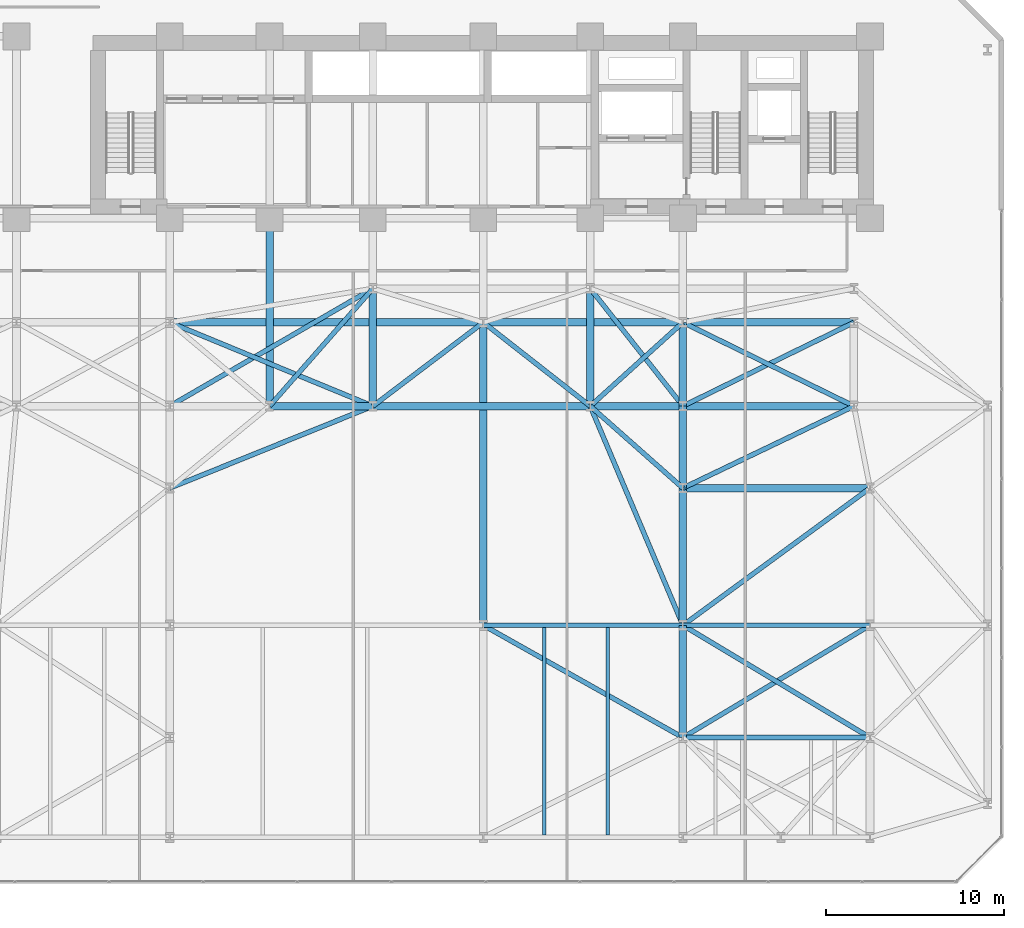
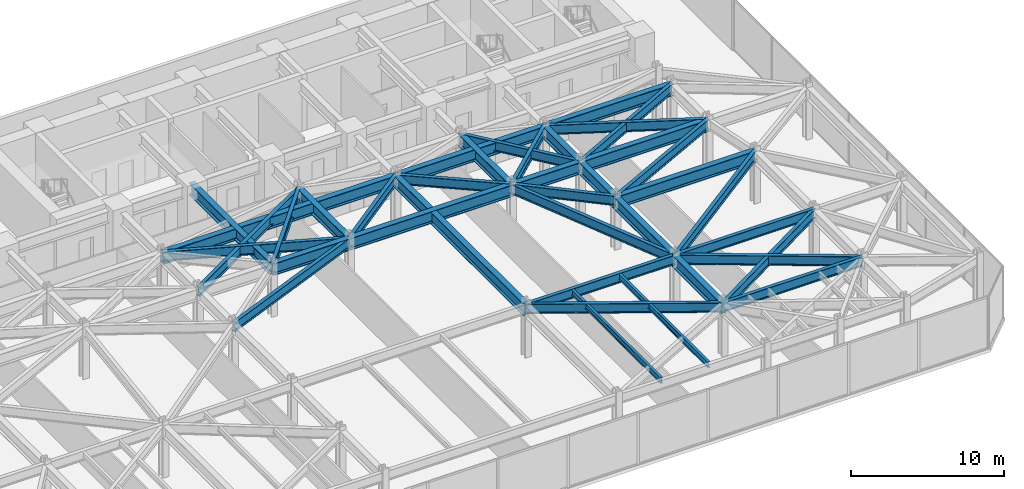
# One storey, part 18 of 30: 38 beams.
"""IFC4 building model written with IfcOpenShell, lengths in metres."""

from ifc_helpers import new_model, si_unit, direction, frame, origin, origin_2d, place, context, subcontext, project, spatial, i_section, extrude, material, material_profile, profile_set, type_object, element, save


model = new_model("IFC4")

# Units and contexts
model_context = context("Model", 3, precision=1e-05, world=origin(), true_north=direction((0.0, 1.0)))
body_context = subcontext(model_context, "Body", "Model", "MODEL_VIEW")
ifc_project = project(units=[si_unit("LENGTHUNIT", "METRE"), si_unit("AREAUNIT", "SQUARE_METRE"), si_unit("VOLUMEUNIT", "CUBIC_METRE"), si_unit("PLANEANGLEUNIT", "RADIAN"), si_unit("MASSUNIT", "GRAM", prefix="KILO")], contexts=[model_context])

# Site, building, storey
site_placement = place(None, origin())
site = spatial("IfcSite", under=ifc_project, at=site_placement, CompositionType="ELEMENT")
building_placement = place(site_placement, origin())
building = spatial("IfcBuilding", under=site, at=building_placement, Name="Kravanh Interchange Tower", CompositionType="ELEMENT")
storey_placement = place(building_placement, frame((0.0, 0.0, 19.800048828125)))
storey = spatial("IfcBuildingStorey", under=building, at=storey_placement, Name="L04", CompositionType="ELEMENT", Elevation=19.800048828125)

# Beams
ifc_material_1 = material(Name="Structural Steel S450", Category="steel")
ifc_material_profile_1 = material_profile(ifc_material_1, i_section(OverallWidth=0.423095703125, OverallDepth=0.947998046875, WebThickness=0.02392578125, FlangeThickness=0.042724609375, FilletRadius=0.028076171875, at=origin_2d()), Name="W36X302")
ifc_profile_set_1 = profile_set([ifc_material_profile_1], Name="Structural Steel S450")
beam_type_1 = type_object("IfcBeamType", Name="Floor Beam W36X302 Structural Steel S450", PredefinedType="BEAM", material=ifc_profile_set_1)
beam_1_placement = place(storey_placement, frame((56.0, 8.199951171875, 3.676025390625), z_axis=(0.0, 1.0, 0.0), x_axis=(-1.0, 0.0, 0.0)))
element("IfcBeam", 1, at=beam_1_placement, inside=storey, type_object=beam_type_1, Name="L04 Primary Floor Girder 29", PredefinedType="BEAM", context=body_context, shape_type="SweptSolid", body=[
    extrude(i_section(OverallWidth=0.423095703125, OverallDepth=0.947998046875, WebThickness=0.02392578125, FlangeThickness=0.042724609375, FilletRadius=0.028076171875, at=origin_2d()), origin(), (0.0, 0.0, 1.0), 6.300048828125),
])
beam_2_placement = place(storey_placement, frame((44.800048828125, 14.5, 3.676025390625), z_axis=(0.0, 1.0, 0.0), x_axis=(-1.0, 0.0, 0.0)))
element("IfcBeam", 2, at=beam_2_placement, inside=storey, type_object=beam_type_1, Name="L04 Primary Floor Girder 48", PredefinedType="BEAM", context=body_context, shape_type="SweptSolid", body=[
    extrude(i_section(OverallWidth=0.423095703125, OverallDepth=0.947998046875, WebThickness=0.02392578125, FlangeThickness=0.042724609375, FilletRadius=0.028076171875, at=origin_2d()), origin(), (0.0, 0.0, 1.0), 17.0),
])
beam_3_placement = place(storey_placement, frame((56.0, 14.5, 3.676025390625), z_axis=(0.0, 1.0, 0.0), x_axis=(-1.0, 0.0, 0.0)))
element("IfcBeam", 3, at=beam_3_placement, inside=storey, type_object=beam_type_1, Name="L04 Primary Floor Girder 49", PredefinedType="BEAM", context=body_context, shape_type="SweptSolid", body=[
    extrude(i_section(OverallWidth=0.423095703125, OverallDepth=0.947998046875, WebThickness=0.02392578125, FlangeThickness=0.042724609375, FilletRadius=0.028076171875, at=origin_2d()), origin(), (0.0, 0.0, 1.0), 7.699951171875),
])
beam_4_placement = place(storey_placement, frame((56.0, 22.199951171875, 3.676025390625), z_axis=(0.0, 1.0, 0.0), x_axis=(-1.0, 0.0, 0.0)))
element("IfcBeam", 4, at=beam_4_placement, inside=storey, type_object=beam_type_1, Name="L04 Primary Floor Girder 65", PredefinedType="BEAM", context=body_context, shape_type="SweptSolid", body=[
    extrude(i_section(OverallWidth=0.423095703125, OverallDepth=0.947998046875, WebThickness=0.02392578125, FlangeThickness=0.042724609375, FilletRadius=0.028076171875, at=origin_2d()), origin(), (0.0, 0.0, 1.0), 4.60009765625),
])
beam_5_placement = place(storey_placement, frame((56.0, 22.199951171875, 3.676025390625), z_axis=(1.0, 0.0, 0.0), x_axis=(0.0, 1.0, 0.0)))
element("IfcBeam", 5, at=beam_5_placement, inside=storey, type_object=beam_type_1, Name="L04 Primary Floor Girder 67", PredefinedType="BEAM", context=body_context, shape_type="SweptSolid", body=[
    extrude(i_section(OverallWidth=0.423095703125, OverallDepth=0.947998046875, WebThickness=0.02392578125, FlangeThickness=0.042724609375, FilletRadius=0.028076171875, at=origin_2d()), origin(), (0.0, 0.0, 1.0), 10.5),
])
beam_6_placement = place(storey_placement, frame((32.800048828125, 26.800048828125, 3.676025390625), z_axis=(1.0, 0.0, 0.0), x_axis=(0.0, 1.0, 0.0)))
element("IfcBeam", 6, at=beam_6_placement, inside=storey, type_object=beam_type_1, Name="L04 Primary Floor Girder 85", PredefinedType="BEAM", context=body_context, shape_type="SweptSolid", body=[
    extrude(i_section(OverallWidth=0.423095703125, OverallDepth=0.947998046875, WebThickness=0.02392578125, FlangeThickness=0.042724609375, FilletRadius=0.028076171875, at=origin_2d()), origin(), (0.0, 0.0, 1.0), 5.800048828125),
])
beam_7_placement = place(storey_placement, frame((32.800048828125, 26.800048828125, 3.676025390625), z_axis=(0.0, 1.0, 0.0), x_axis=(-1.0, 0.0, 0.0)))
element("IfcBeam", 7, at=beam_7_placement, inside=storey, type_object=beam_type_1, Name="L04 Primary Floor Girder 88", PredefinedType="BEAM", context=body_context, shape_type="SweptSolid", body=[
    extrude(i_section(OverallWidth=0.423095703125, OverallDepth=0.947998046875, WebThickness=0.02392578125, FlangeThickness=0.042724609375, FilletRadius=0.028076171875, at=origin_2d()), origin(), (0.0, 0.0, 1.0), 10.550048828125),
])
beam_8_placement = place(storey_placement, frame((38.60009765625, 26.800048828125, 3.676025390625), z_axis=(0.0, 1.0, 0.0), x_axis=(-1.0, 0.0, 0.0)))
element("IfcBeam", 8, at=beam_8_placement, inside=storey, type_object=beam_type_1, Name="L04 Primary Floor Girder 89", PredefinedType="BEAM", context=body_context, shape_type="SweptSolid", body=[
    extrude(i_section(OverallWidth=0.423095703125, OverallDepth=0.947998046875, WebThickness=0.02392578125, FlangeThickness=0.042724609375, FilletRadius=0.028076171875, at=origin_2d()), origin(), (0.0, 0.0, 1.0), 6.599853515625),
])
beam_9_placement = place(storey_placement, frame((38.60009765625, 26.800048828125, 3.676025390625), z_axis=(1.0, 0.0, 0.0), x_axis=(0.0, 1.0, 0.0)))
element("IfcBeam", 9, at=beam_9_placement, inside=storey, type_object=beam_type_1, Name="L04 Primary Floor Girder 91", PredefinedType="BEAM", context=body_context, shape_type="SweptSolid", body=[
    extrude(i_section(OverallWidth=0.423095703125, OverallDepth=0.947998046875, WebThickness=0.02392578125, FlangeThickness=0.042724609375, FilletRadius=0.028076171875, at=origin_2d()), origin(), (0.0, 0.0, 1.0), 12.199951171875),
])
beam_10_placement = place(storey_placement, frame((50.800048828125, 26.800048828125, 3.676025390625), z_axis=(1.0, 0.0, 0.0), x_axis=(0.0, 1.0, 0.0)))
element("IfcBeam", 10, at=beam_10_placement, inside=storey, type_object=beam_type_1, Name="L04 Primary Floor Girder 93", PredefinedType="BEAM", context=body_context, shape_type="SweptSolid", body=[
    extrude(i_section(OverallWidth=0.423095703125, OverallDepth=0.947998046875, WebThickness=0.02392578125, FlangeThickness=0.042724609375, FilletRadius=0.028076171875, at=origin_2d()), origin(), (0.0, 0.0, 1.0), 5.199951171875),
])
beam_11_placement = place(storey_placement, frame((50.800048828125, 26.800048828125, 3.676025390625), z_axis=(0.0, 1.0, 0.0), x_axis=(-1.0, 0.0, 0.0)))
element("IfcBeam", 11, at=beam_11_placement, inside=storey, type_object=beam_type_1, Name="L04 Primary Floor Girder 94", PredefinedType="BEAM", context=body_context, shape_type="SweptSolid", body=[
    extrude(i_section(OverallWidth=0.423095703125, OverallDepth=0.947998046875, WebThickness=0.02392578125, FlangeThickness=0.042724609375, FilletRadius=0.028076171875, at=origin_2d()), origin(), (0.0, 0.0, 1.0), 6.599853515625),
])
beam_12_placement = place(storey_placement, frame((56.0, 26.800048828125, 3.676025390625), z_axis=(0.0, 1.0, 0.0), x_axis=(-1.0, 0.0, 0.0)))
element("IfcBeam", 12, at=beam_12_placement, inside=storey, type_object=beam_type_1, Name="L04 Primary Floor Girder 97", PredefinedType="BEAM", context=body_context, shape_type="SweptSolid", body=[
    extrude(i_section(OverallWidth=0.423095703125, OverallDepth=0.947998046875, WebThickness=0.02392578125, FlangeThickness=0.042724609375, FilletRadius=0.028076171875, at=origin_2d()), origin(), (0.0, 0.0, 1.0), 4.699951171875),
])
beam_13_placement = place(storey_placement, frame((56.0, 26.800048828125, 3.676025390625), z_axis=(1.0, 0.0, 0.0), x_axis=(0.0, 1.0, 0.0)))
element("IfcBeam", 13, at=beam_13_placement, inside=storey, type_object=beam_type_1, Name="L04 Primary Floor Girder 99", PredefinedType="BEAM", context=body_context, shape_type="SweptSolid", body=[
    extrude(i_section(OverallWidth=0.423095703125, OverallDepth=0.947998046875, WebThickness=0.02392578125, FlangeThickness=0.042724609375, FilletRadius=0.028076171875, at=origin_2d()), origin(), (0.0, 0.0, 1.0), 9.60009765625),
])
beam_14_placement = place(storey_placement, frame((27.199951171875, 31.5, 3.676025390625), z_axis=(1.0, 0.0, 0.0), x_axis=(0.0, 1.0, 0.0)))
element("IfcBeam", 14, at=beam_14_placement, inside=storey, type_object=beam_type_1, Name="L04 Primary Floor Girder 112", PredefinedType="BEAM", context=body_context, shape_type="SweptSolid", body=[
    extrude(i_section(OverallWidth=0.423095703125, OverallDepth=0.947998046875, WebThickness=0.02392578125, FlangeThickness=0.042724609375, FilletRadius=0.028076171875, at=origin_2d()), origin(), (0.0, 0.0, 1.0), 17.60009765625),
])
beam_15_placement = place(storey_placement, frame((44.800048828125, 31.5, 3.676025390625), z_axis=(1.0, 0.0, 0.0), x_axis=(0.0, 1.0, 0.0)))
element("IfcBeam", 15, at=beam_15_placement, inside=storey, type_object=beam_type_1, Name="L04 Primary Floor Girder 116", PredefinedType="BEAM", context=body_context, shape_type="SweptSolid", body=[
    extrude(i_section(OverallWidth=0.423095703125, OverallDepth=0.947998046875, WebThickness=0.02392578125, FlangeThickness=0.042724609375, FilletRadius=0.028076171875, at=origin_2d()), origin(), (0.0, 0.0, 1.0), 11.199951171875),
])
beam_16_placement = place(storey_placement, frame((56.0, 31.5, 3.676025390625), z_axis=(1.0, 0.0, 0.0), x_axis=(0.0, 1.0, 0.0)))
element("IfcBeam", 16, at=beam_16_placement, inside=storey, type_object=beam_type_1, Name="L04 Primary Floor Girder 119", PredefinedType="BEAM", context=body_context, shape_type="SweptSolid", body=[
    extrude(i_section(OverallWidth=0.423095703125, OverallDepth=0.947998046875, WebThickness=0.02392578125, FlangeThickness=0.042724609375, FilletRadius=0.028076171875, at=origin_2d()), origin(), (0.0, 0.0, 1.0), 9.60009765625),
])
ifc_material_2 = material(Name="Structural Steel S355", Category="steel")
ifc_material_profile_2 = material_profile(ifc_material_2, i_section(OverallWidth=0.18994140625, OverallDepth=0.45703125, WebThickness=0.009033203125, FlangeThickness=0.014404296875, FilletRadius=0.01806640625, at=origin_2d()), Name="W18X50")
ifc_profile_set_2 = profile_set([ifc_material_profile_2], Name="Structural Steel S355")
beam_type_2 = type_object("IfcBeamType", Name="Floor Joist W18X50 Structural Steel S355", PredefinedType="JOIST", material=ifc_profile_set_2)
for number, where, z_axis, x_axis, name in (
    (17, (48.221923828125, 2.728515625, 3.92138671875), (0.0, 1.0, 0.0), (-1.0, 0.0, 0.0), "L04 Secondary Floor Joist 7"),
    (18, (51.785888671875, 2.728515625, 3.92138671875), (0.0, 1.0, 0.0), (-1.0, 0.0, 0.0), "L04 Secondary Floor Joist 8"),
):
    element("IfcBeam", number, at=place(storey_placement, frame(where, z_axis=z_axis, x_axis=x_axis)), inside=storey, type_object=beam_type_2, Name=name, PredefinedType="JOIST", context=body_context, shape_type="SweptSolid", body=[
        extrude(i_section(OverallWidth=0.18994140625, OverallDepth=0.45703125, WebThickness=0.009033203125, FlangeThickness=0.014404296875, FilletRadius=0.01806640625, at=origin_2d()), origin(), (0.0, 0.0, 1.0), 11.64306640625),
    ])
ifc_material_3 = material(Name="Structural Steel S355", Category="steel")
ifc_material_profile_3 = material_profile(ifc_material_3, i_section(OverallWidth=0.26708984375, OverallDepth=0.761962890625, WebThickness=0.014404296875, FlangeThickness=0.021484375, FilletRadius=0.02490234375, at=origin_2d()), Name="W30X116")
ifc_profile_set_3 = profile_set([ifc_material_profile_3], Name="Structural Steel S355")
beam_type_3 = type_object("IfcBeamType", Name="Floor Spandrel W30X116 Structural Steel S355", PredefinedType="SPANDREL", material=ifc_profile_set_3)
beam_17_placement = place(storey_placement, frame((56.0, 8.199951171875, 3.76904296875), z_axis=(1.0, 0.0, 0.0), x_axis=(0.0, 1.0, 0.0)))
element("IfcBeam", 19, at=beam_17_placement, inside=storey, type_object=beam_type_3, Name="L04 Perimeter Spandrel 30", PredefinedType="SPANDREL", context=body_context, shape_type="SweptSolid", body=[
    extrude(i_section(OverallWidth=0.26708984375, OverallDepth=0.761962890625, WebThickness=0.014404296875, FlangeThickness=0.021484375, FilletRadius=0.02490234375, at=origin_2d()), origin(), (0.0, 0.0, 1.0), 10.5),
])
beam_18_placement = place(storey_placement, frame((56.0, 8.199951171875, 3.76904296875), z_axis=(0.857491166477, 0.514498687475, 0.0), x_axis=(-0.514498687475, 0.857491166477, 0.0)))
element("IfcBeam", 20, at=beam_18_placement, inside=storey, type_object=beam_type_3, Name="L04 Perimeter Spandrel 31", PredefinedType="SPANDREL", context=body_context, shape_type="SweptSolid", body=[
    extrude(i_section(OverallWidth=0.26708984375, OverallDepth=0.761962890625, WebThickness=0.014404296875, FlangeThickness=0.021484375, FilletRadius=0.02490234375, at=origin_2d()), origin(), (0.0, 0.0, 1.0), 12.2451171875),
])
beam_19_placement = place(storey_placement, frame((56.0, 8.199951171875, 3.76904296875), z_axis=(-0.871573000172, 0.490265749743, 0.0), x_axis=(-0.490265749743, -0.871573000172, 0.0)))
element("IfcBeam", 21, at=beam_19_placement, inside=storey, type_object=beam_type_3, Name="L04 Perimeter Spandrel 32", PredefinedType="SPANDREL", context=body_context, shape_type="SweptSolid", body=[
    extrude(i_section(OverallWidth=0.26708984375, OverallDepth=0.761962890625, WebThickness=0.014404296875, FlangeThickness=0.021484375, FilletRadius=0.02490234375, at=origin_2d()), origin(), (0.0, 0.0, 1.0), 12.850341796875),
])
beam_20_placement = place(storey_placement, frame((66.5, 8.199951171875, 3.76904296875), z_axis=(-0.857491166477, 0.514498687475, 0.0), x_axis=(-0.514498687475, -0.857491166477, 0.0)))
element("IfcBeam", 22, at=beam_20_placement, inside=storey, type_object=beam_type_3, Name="L04 Perimeter Spandrel 36", PredefinedType="SPANDREL", context=body_context, shape_type="SweptSolid", body=[
    extrude(i_section(OverallWidth=0.26708984375, OverallDepth=0.761962890625, WebThickness=0.014404296875, FlangeThickness=0.021484375, FilletRadius=0.02490234375, at=origin_2d()), origin(), (0.0, 0.0, 1.0), 12.2451171875),
])
beam_21_placement = place(storey_placement, frame((44.800048828125, 14.5, 3.76904296875), z_axis=(1.0, 0.0, 0.0), x_axis=(0.0, 1.0, 0.0)))
element("IfcBeam", 23, at=beam_21_placement, inside=storey, type_object=beam_type_3, Name="L04 Perimeter Spandrel 47", PredefinedType="SPANDREL", context=body_context, shape_type="SweptSolid", body=[
    extrude(i_section(OverallWidth=0.26708984375, OverallDepth=0.761962890625, WebThickness=0.014404296875, FlangeThickness=0.021484375, FilletRadius=0.02490234375, at=origin_2d()), origin(), (0.0, 0.0, 1.0), 11.199951171875),
])
beam_22_placement = place(storey_placement, frame((56.0, 14.5, 3.76904296875), z_axis=(1.0, 0.0, 0.0), x_axis=(0.0, 1.0, 0.0)))
element("IfcBeam", 24, at=beam_22_placement, inside=storey, type_object=beam_type_3, Name="L04 Perimeter Spandrel 50", PredefinedType="SPANDREL", context=body_context, shape_type="SweptSolid", body=[
    extrude(i_section(OverallWidth=0.26708984375, OverallDepth=0.761962890625, WebThickness=0.014404296875, FlangeThickness=0.021484375, FilletRadius=0.02490234375, at=origin_2d()), origin(), (0.0, 0.0, 1.0), 10.5),
])
beam_23_placement = place(storey_placement, frame((56.0, 14.5, 3.76904296875), z_axis=(0.806406784162, 0.59136122502, 0.0), x_axis=(-0.59136122502, 0.806406784162, 0.0)))
element("IfcBeam", 25, at=beam_23_placement, inside=storey, type_object=beam_type_3, Name="L04 Perimeter Spandrel 51", PredefinedType="SPANDREL", context=body_context, shape_type="SweptSolid", body=[
    extrude(i_section(OverallWidth=0.26708984375, OverallDepth=0.761962890625, WebThickness=0.014404296875, FlangeThickness=0.021484375, FilletRadius=0.02490234375, at=origin_2d()), origin(), (0.0, 0.0, 1.0), 13.020751953125),
])
beam_24_placement = place(storey_placement, frame((56.0, 14.5, 3.76904296875), z_axis=(-0.389391275313, 0.921072437276, 0.0), x_axis=(-0.921072437276, -0.389391275313, 0.0)))
element("IfcBeam", 26, at=beam_24_placement, inside=storey, type_object=beam_type_3, Name="L04 Perimeter Spandrel 52", PredefinedType="SPANDREL", context=body_context, shape_type="SweptSolid", body=[
    extrude(i_section(OverallWidth=0.26708984375, OverallDepth=0.761962890625, WebThickness=0.014404296875, FlangeThickness=0.021484375, FilletRadius=0.02490234375, at=origin_2d()), origin(), (0.0, 0.0, 1.0), 13.35400390625),
])
beam_25_placement = place(storey_placement, frame((27.199951171875, 22.199951171875, 3.76904296875), z_axis=(0.927349344428, 0.374196730864, 0.0), x_axis=(-0.374196730864, 0.927349344428, 0.0)))
element("IfcBeam", 27, at=beam_25_placement, inside=storey, type_object=beam_type_3, Name="L04 Perimeter Spandrel 64", PredefinedType="SPANDREL", context=body_context, shape_type="SweptSolid", body=[
    extrude(i_section(OverallWidth=0.26708984375, OverallDepth=0.761962890625, WebThickness=0.014404296875, FlangeThickness=0.021484375, FilletRadius=0.02490234375, at=origin_2d()), origin(), (0.0, 0.0, 1.0), 12.293212890625),
])
beam_26_placement = place(storey_placement, frame((56.0, 22.199951171875, 3.76904296875), z_axis=(-0.74898649432, 0.662585263439, 0.0), x_axis=(-0.662585263439, -0.74898649432, 0.0)))
element("IfcBeam", 28, at=beam_26_placement, inside=storey, type_object=beam_type_3, Name="L04 Perimeter Spandrel 66", PredefinedType="SPANDREL", context=body_context, shape_type="SweptSolid", body=[
    extrude(i_section(OverallWidth=0.26708984375, OverallDepth=0.761962890625, WebThickness=0.014404296875, FlangeThickness=0.021484375, FilletRadius=0.02490234375, at=origin_2d()), origin(), (0.0, 0.0, 1.0), 6.942626953125),
])
beam_27_placement = place(storey_placement, frame((56.0, 22.199951171875, 3.76904296875), z_axis=(0.901814166789, 0.432124066188, 0.0), x_axis=(-0.432124066188, 0.901814166789, 0.0)))
element("IfcBeam", 29, at=beam_27_placement, inside=storey, type_object=beam_type_3, Name="L04 Perimeter Spandrel 68", PredefinedType="SPANDREL", context=body_context, shape_type="SweptSolid", body=[
    extrude(i_section(OverallWidth=0.26708984375, OverallDepth=0.761962890625, WebThickness=0.014404296875, FlangeThickness=0.021484375, FilletRadius=0.02490234375, at=origin_2d()), origin(), (0.0, 0.0, 1.0), 10.645263671875),
])
beam_28_placement = place(storey_placement, frame((27.199951171875, 26.800048828125, 3.76904296875), z_axis=(0.865433898834, 0.501023119974, 0.0), x_axis=(-0.501023119974, 0.865433898834, 0.0)))
element("IfcBeam", 30, at=beam_28_placement, inside=storey, type_object=beam_type_3, Name="L04 Perimeter Spandrel 84", PredefinedType="SPANDREL", context=body_context, shape_type="SweptSolid", body=[
    extrude(i_section(OverallWidth=0.26708984375, OverallDepth=0.761962890625, WebThickness=0.014404296875, FlangeThickness=0.021484375, FilletRadius=0.02490234375, at=origin_2d()), origin(), (0.0, 0.0, 1.0), 13.1728515625),
])
beam_29_placement = place(storey_placement, frame((32.800048828125, 26.800048828125, 3.76904296875), z_axis=(0.660126010232, 0.751154877914, 0.0), x_axis=(-0.751154877914, 0.660126010232, 0.0)))
element("IfcBeam", 31, at=beam_29_placement, inside=storey, type_object=beam_type_3, Name="L04 Perimeter Spandrel 87", PredefinedType="SPANDREL", context=body_context, shape_type="SweptSolid", body=[
    extrude(i_section(OverallWidth=0.26708984375, OverallDepth=0.761962890625, WebThickness=0.014404296875, FlangeThickness=0.021484375, FilletRadius=0.02490234375, at=origin_2d()), origin(), (0.0, 0.0, 1.0), 8.786376953125),
])
beam_30_placement = place(storey_placement, frame((38.60009765625, 26.800048828125, 3.76904296875), z_axis=(0.796905365509, 0.604104161898, 0.0), x_axis=(-0.604104161898, 0.796905365509, 0.0)))
element("IfcBeam", 32, at=beam_30_placement, inside=storey, type_object=beam_type_3, Name="L04 Perimeter Spandrel 90", PredefinedType="SPANDREL", context=body_context, shape_type="SweptSolid", body=[
    extrude(i_section(OverallWidth=0.26708984375, OverallDepth=0.761962890625, WebThickness=0.014404296875, FlangeThickness=0.021484375, FilletRadius=0.02490234375, at=origin_2d()), origin(), (0.0, 0.0, 1.0), 7.780029296875),
])
beam_31_placement = place(storey_placement, frame((38.60009765625, 26.800048828125, 3.76904296875), z_axis=(-0.924513176562, 0.381150083778, 0.0), x_axis=(-0.381150083778, -0.924513176562, 0.0)))
element("IfcBeam", 33, at=beam_31_placement, inside=storey, type_object=beam_type_3, Name="L04 Perimeter Spandrel 92", PredefinedType="SPANDREL", context=body_context, shape_type="SweptSolid", body=[
    extrude(i_section(OverallWidth=0.26708984375, OverallDepth=0.761962890625, WebThickness=0.014404296875, FlangeThickness=0.021484375, FilletRadius=0.02490234375, at=origin_2d()), origin(), (0.0, 0.0, 1.0), 12.3310546875),
])
beam_32_placement = place(storey_placement, frame((50.800048828125, 26.800048828125, 3.76904296875), z_axis=(0.741874009795, 0.670539300557, 0.0), x_axis=(-0.670539300557, 0.741874009795, 0.0)))
element("IfcBeam", 34, at=beam_32_placement, inside=storey, type_object=beam_type_3, Name="L04 Perimeter Spandrel 95", PredefinedType="SPANDREL", context=body_context, shape_type="SweptSolid", body=[
    extrude(i_section(OverallWidth=0.26708984375, OverallDepth=0.761962890625, WebThickness=0.014404296875, FlangeThickness=0.021484375, FilletRadius=0.02490234375, at=origin_2d()), origin(), (0.0, 0.0, 1.0), 7.00927734375),
])
beam_33_placement = place(storey_placement, frame((50.800048828125, 26.800048828125, 3.76904296875), z_axis=(-0.787231163579, 0.616658004967, 0.0), x_axis=(-0.616658004967, -0.787231163579, 0.0)))
element("IfcBeam", 35, at=beam_33_placement, inside=storey, type_object=beam_type_3, Name="L04 Perimeter Spandrel 96", PredefinedType="SPANDREL", context=body_context, shape_type="SweptSolid", body=[
    extrude(i_section(OverallWidth=0.26708984375, OverallDepth=0.761962890625, WebThickness=0.014404296875, FlangeThickness=0.021484375, FilletRadius=0.02490234375, at=origin_2d()), origin(), (0.0, 0.0, 1.0), 7.62158203125),
])
beam_34_placement = place(storey_placement, frame((56.0, 26.800048828125, 3.76904296875), z_axis=(-0.618877116007, 0.785487819946, 0.0), x_axis=(-0.785487819946, -0.618877116007, 0.0)))
element("IfcBeam", 36, at=beam_34_placement, inside=storey, type_object=beam_type_3, Name="L04 Perimeter Spandrel 98", PredefinedType="SPANDREL", context=body_context, shape_type="SweptSolid", body=[
    extrude(i_section(OverallWidth=0.26708984375, OverallDepth=0.761962890625, WebThickness=0.014404296875, FlangeThickness=0.021484375, FilletRadius=0.02490234375, at=origin_2d()), origin(), (0.0, 0.0, 1.0), 8.40234375),
])
for number, where, z_axis, x_axis, name in (
    (37, (56.0, 26.800048828125, 3.76904296875), (0.898141688387, 0.439706160499, 0.0), (-0.439706160499, 0.898141688387, 0.0), "L04 Perimeter Spandrel 100"),
    (38, (65.60009765625, 26.800048828125, 3.76904296875), (-0.898141688387, 0.439706160499, 0.0), (-0.439706160499, -0.898141688387, 0.0), "L04 Perimeter Spandrel 103"),
):
    element("IfcBeam", number, at=place(storey_placement, frame(where, z_axis=z_axis, x_axis=x_axis)), inside=storey, type_object=beam_type_3, Name=name, PredefinedType="SPANDREL", context=body_context, shape_type="SweptSolid", body=[
        extrude(i_section(OverallWidth=0.26708984375, OverallDepth=0.761962890625, WebThickness=0.014404296875, FlangeThickness=0.021484375, FilletRadius=0.02490234375, at=origin_2d()), origin(), (0.0, 0.0, 1.0), 10.68896484375),
    ])

save(model, "model.ifc")
